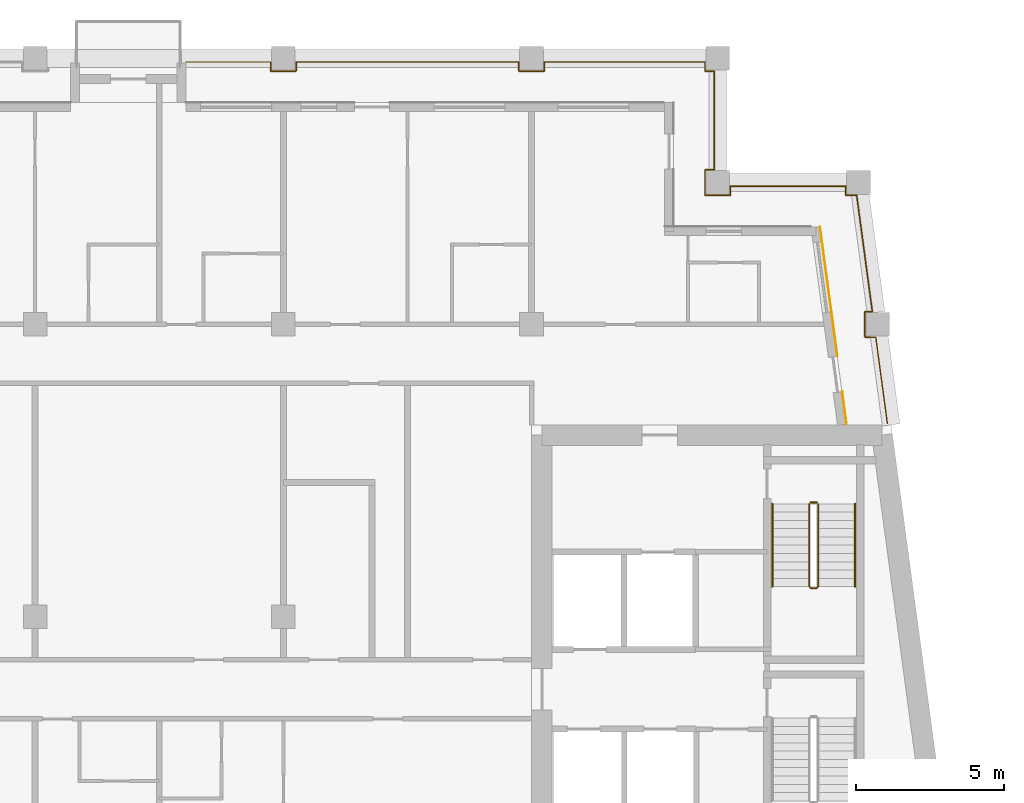
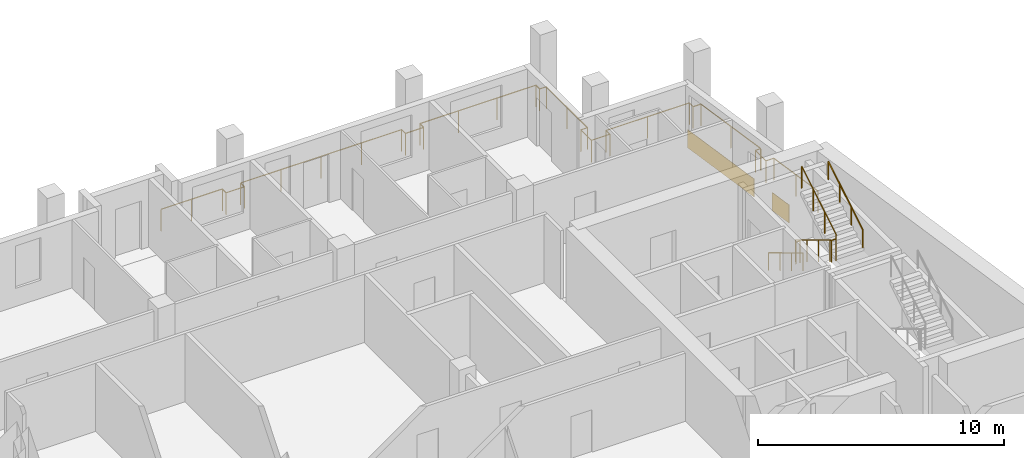
# One storey, part 12 of 14: 5 railings, 2 coverings.
"""IFC4 building model written with IfcOpenShell, lengths in metres."""

from ifc_helpers import new_model, si_unit, direction, frame, origin, origin_2d, place, context, subcontext, project, spatial, rectangle, circle, extrude, material, layer, layer_set, type_object, element, save


model = new_model("IFC4")

# Units and contexts
model_context = context("Model", 3, precision=1e-05, world=origin(), true_north=direction((0.0, 1.0)))
body_context = subcontext(model_context, "Body", "Model", "MODEL_VIEW")
ifc_project = project(units=[si_unit("LENGTHUNIT", "METRE"), si_unit("AREAUNIT", "SQUARE_METRE"), si_unit("VOLUMEUNIT", "CUBIC_METRE"), si_unit("PLANEANGLEUNIT", "RADIAN"), si_unit("MASSUNIT", "GRAM", prefix="KILO")], contexts=[model_context])

# Site, building, storey
site_placement = place(None, origin())
site = spatial("IfcSite", under=ifc_project, at=site_placement, CompositionType="ELEMENT")
building_placement = place(site_placement, origin())
building = spatial("IfcBuilding", under=site, at=building_placement, Name="Candeia Pilgrim Tower and Theatre", CompositionType="ELEMENT")
storey_placement = place(building_placement, frame((0.0, 0.0, 266.39990234375)))
storey = spatial("IfcBuildingStorey", under=building, at=storey_placement, Name="L64", CompositionType="ELEMENT", Elevation=266.39990234375)

# Railing
ifc_material_1 = material(Name="Stainless steel balustrade", Category="steel")
railing_type_1 = type_object("IfcRailingType", Name="G1 loggia guard 1100", PredefinedType="GUARDRAIL", material=ifc_material_1)
railing_1_placement = place(storey_placement, frame((114.300048828125, 144.679931640625, 0.0)))
element("IfcRailing", 1, at=railing_1_placement, inside=storey, type_object=railing_type_1, Name="Guard L64.2", PredefinedType="GUARDRAIL", context=body_context, shape_type="SweptSolid", body=[
    extrude(circle(Radius=0.02392578125, at=origin_2d()), frame((0.0, 0.0, 1.076171875), z_axis=(1.0, 0.0, 0.0), x_axis=(0.0, 1.0, 0.0)), (0.0, 0.0, 1.0), 2.869873046875),
    extrude(circle(Radius=0.02392578125, at=origin_2d()), frame((2.869873046875, 0.0, 1.076171875), z_axis=(0.0, -1.0, 0.0), x_axis=(1.0, 0.0, 0.0)), (0.0, 0.0, 1.0), 0.309814453125),
    extrude(circle(Radius=0.02392578125, at=origin_2d()), frame((2.869873046875, -0.309814453125, 1.076171875), z_axis=(1.0, 0.0, 0.0), x_axis=(0.0, 1.0, 0.0)), (0.0, 0.0, 1.0), 0.860107421875),
    extrude(circle(Radius=0.02392578125, at=origin_2d()), frame((3.72998046875, -0.309814453125, 1.076171875), z_axis=(0.0, 1.0, 0.0), x_axis=(-1.0, 0.0, 0.0)), (0.0, 0.0, 1.0), 0.309814453125),
    extrude(circle(Radius=0.02392578125, at=origin_2d()), frame((3.72998046875, 0.0, 1.076171875), z_axis=(1.0, 0.0, 0.0), x_axis=(0.0, 1.0, 0.0)), (0.0, 0.0, 1.0), 7.5400390625),
    extrude(circle(Radius=0.02392578125, at=origin_2d()), frame((11.27001953125, 0.0, 1.076171875), z_axis=(0.0, -1.0, 0.0), x_axis=(1.0, 0.0, 0.0)), (0.0, 0.0, 1.0), 0.309814453125),
    extrude(circle(Radius=0.02392578125, at=origin_2d()), frame((11.27001953125, -0.309814453125, 1.076171875), z_axis=(1.0, 0.0, 0.0), x_axis=(0.0, 1.0, 0.0)), (0.0, 0.0, 1.0), 0.85986328125),
    extrude(circle(Radius=0.02392578125, at=origin_2d()), frame((12.1298828125, -0.309814453125, 1.076171875), z_axis=(0.0, 1.0, 0.0), x_axis=(-1.0, 0.0, 0.0)), (0.0, 0.0, 1.0), 0.309814453125),
    extrude(circle(Radius=0.02392578125, at=origin_2d()), frame((12.1298828125, 0.0, 1.076171875), z_axis=(1.0, 0.0, 0.0), x_axis=(0.0, 1.0, 0.0)), (0.0, 0.0, 1.0), 5.440185546875),
    extrude(circle(Radius=0.02392578125, at=origin_2d()), frame((17.570068359375, 0.0, 1.076171875), z_axis=(0.0, -1.0, 0.0), x_axis=(1.0, 0.0, 0.0)), (0.0, 0.0, 1.0), 0.309814453125),
    extrude(circle(Radius=0.02392578125, at=origin_2d()), frame((17.570068359375, -0.309814453125, 1.076171875), z_axis=(1.0, 0.0, 0.0), x_axis=(0.0, 1.0, 0.0)), (0.0, 0.0, 1.0), 0.309814453125),
    extrude(circle(Radius=0.02392578125, at=origin_2d()), frame((17.8798828125, -0.309814453125, 1.076171875), z_axis=(0.0, -1.0, 0.0), x_axis=(1.0, 0.0, 0.0)), (0.0, 0.0, 1.0), 3.340087890625),
    extrude(circle(Radius=0.02392578125, at=origin_2d()), frame((17.8798828125, -3.64990234375, 1.076171875), z_axis=(-1.0, 0.0, 0.0), x_axis=(0.0, -1.0, 0.0)), (0.0, 0.0, 1.0), 0.309814453125),
    extrude(circle(Radius=0.02392578125, at=origin_2d()), frame((17.570068359375, -3.64990234375, 1.076171875), z_axis=(0.0, -1.0, 0.0), x_axis=(1.0, 0.0, 0.0)), (0.0, 0.0, 1.0), 0.860107421875),
    extrude(circle(Radius=0.02392578125, at=origin_2d()), frame((17.570068359375, -4.510009765625, 1.076171875), z_axis=(1.0, 0.0, 0.0), x_axis=(0.0, 1.0, 0.0)), (0.0, 0.0, 1.0), 0.85986328125),
    extrude(circle(Radius=0.02392578125, at=origin_2d()), frame((18.429931640625, -4.510009765625, 1.076171875), z_axis=(0.0, 1.0, 0.0), x_axis=(-1.0, 0.0, 0.0)), (0.0, 0.0, 1.0), 0.31005859375),
    extrude(circle(Radius=0.02392578125, at=origin_2d()), frame((18.429931640625, -4.199951171875, 1.076171875), z_axis=(1.0, 0.0, 0.0), x_axis=(0.0, 1.0, 0.0)), (0.0, 0.0, 1.0), 3.905517578125),
    extrude(circle(Radius=0.02392578125, at=origin_2d()), frame((22.33544921875, -4.199951171875, 1.076171875), z_axis=(0.0, -1.0, 0.0), x_axis=(1.0, 0.0, 0.0)), (0.0, 0.0, 1.0), 0.31005859375),
    extrude(circle(Radius=0.02392578125, at=origin_2d()), frame((22.33544921875, -4.510009765625, 1.076171875), z_axis=(1.0, 0.0, 0.0), x_axis=(0.0, 1.0, 0.0)), (0.0, 0.0, 1.0), 0.36669921875),
    extrude(circle(Radius=0.02392578125, at=origin_2d()), frame((22.7021484375, -4.510009765625, 1.076171875), z_axis=(0.133386492616, -0.991064096609, 0.0), x_axis=(0.991064096609, 0.133386492616, 0.0)), (0.0, 0.0, 1.0), 3.9755859375),
    extrude(circle(Radius=0.02392578125, at=origin_2d()), frame((23.232421875, -8.449951171875, 1.076171875), z_axis=(-1.0, 0.0, 0.0), x_axis=(0.0, -1.0, 0.0)), (0.0, 0.0, 1.0), 0.2509765625),
    extrude(circle(Radius=0.02392578125, at=origin_2d()), frame((22.9814453125, -8.449951171875, 1.076171875), z_axis=(0.0, -1.0, 0.0), x_axis=(1.0, 0.0, 0.0)), (0.0, 0.0, 1.0), 0.85986328125),
    extrude(circle(Radius=0.02392578125, at=origin_2d()), frame((22.9814453125, -9.309814453125, 1.076171875), z_axis=(1.0, 0.0, 0.0), x_axis=(0.0, 1.0, 0.0)), (0.0, 0.0, 1.0), 0.366943359375),
    extrude(circle(Radius=0.02392578125, at=origin_2d()), frame((23.348388671875, -9.309814453125, 1.076171875), z_axis=(0.133401056725, -0.991062136329, 0.0), x_axis=(0.991062136329, 0.133401056725, 0.0)), (0.0, 0.0, 1.0), 2.946533203125),
    extrude(circle(Radius=0.02099609375, at=origin_2d()), origin(), (0.0, 0.0, 1.0), 1.052001953125),
    extrude(circle(Radius=0.02099609375, at=origin_2d()), frame((1.43505859375, 0.0, 0.0)), (0.0, 0.0, 1.0), 1.052001953125),
    extrude(circle(Radius=0.02099609375, at=origin_2d()), frame((2.869873046875, 0.0, 0.0)), (0.0, 0.0, 1.0), 1.052001953125),
    extrude(circle(Radius=0.02099609375, at=origin_2d()), frame((2.869873046875, -0.309814453125, 0.0)), (0.0, 0.0, 1.0), 1.052001953125),
    extrude(circle(Radius=0.02099609375, at=origin_2d()), frame((3.72998046875, -0.309814453125, 0.0)), (0.0, 0.0, 1.0), 1.052001953125),
    extrude(circle(Radius=0.02099609375, at=origin_2d()), frame((3.72998046875, 0.0, 0.0)), (0.0, 0.0, 1.0), 1.052001953125),
    extrude(circle(Radius=0.02099609375, at=origin_2d()), frame((5.614990234375, 0.0, 0.0)), (0.0, 0.0, 1.0), 1.052001953125),
    extrude(circle(Radius=0.02099609375, at=origin_2d()), frame((7.5, 0.0, 0.0)), (0.0, 0.0, 1.0), 1.052001953125),
    extrude(circle(Radius=0.02099609375, at=origin_2d()), frame((9.385009765625, 0.0, 0.0)), (0.0, 0.0, 1.0), 1.052001953125),
    extrude(circle(Radius=0.02099609375, at=origin_2d()), frame((11.27001953125, 0.0, 0.0)), (0.0, 0.0, 1.0), 1.052001953125),
    extrude(circle(Radius=0.02099609375, at=origin_2d()), frame((11.27001953125, -0.309814453125, 0.0)), (0.0, 0.0, 1.0), 1.052001953125),
    extrude(circle(Radius=0.02099609375, at=origin_2d()), frame((12.1298828125, -0.309814453125, 0.0)), (0.0, 0.0, 1.0), 1.052001953125),
    extrude(circle(Radius=0.02099609375, at=origin_2d()), frame((12.1298828125, 0.0, 0.0)), (0.0, 0.0, 1.0), 1.052001953125),
    extrude(circle(Radius=0.02099609375, at=origin_2d()), frame((13.943359375, 0.0, 0.0)), (0.0, 0.0, 1.0), 1.052001953125),
    extrude(circle(Radius=0.02099609375, at=origin_2d()), frame((15.756591796875, 0.0, 0.0)), (0.0, 0.0, 1.0), 1.052001953125),
    extrude(circle(Radius=0.02099609375, at=origin_2d()), frame((17.570068359375, 0.0, 0.0)), (0.0, 0.0, 1.0), 1.052001953125),
    extrude(circle(Radius=0.02099609375, at=origin_2d()), frame((17.570068359375, -0.309814453125, 0.0)), (0.0, 0.0, 1.0), 1.052001953125),
    extrude(circle(Radius=0.02099609375, at=origin_2d()), frame((17.8798828125, -0.309814453125, 0.0)), (0.0, 0.0, 1.0), 1.052001953125),
    extrude(circle(Radius=0.02099609375, at=origin_2d()), frame((17.8798828125, -1.97998046875, 0.0)), (0.0, 0.0, 1.0), 1.052001953125),
    extrude(circle(Radius=0.02099609375, at=origin_2d()), frame((17.8798828125, -3.64990234375, 0.0)), (0.0, 0.0, 1.0), 1.052001953125),
    extrude(circle(Radius=0.02099609375, at=origin_2d()), frame((17.570068359375, -3.64990234375, 0.0)), (0.0, 0.0, 1.0), 1.052001953125),
    extrude(circle(Radius=0.02099609375, at=origin_2d()), frame((17.570068359375, -4.510009765625, 0.0)), (0.0, 0.0, 1.0), 1.052001953125),
    extrude(circle(Radius=0.02099609375, at=origin_2d()), frame((18.429931640625, -4.510009765625, 0.0)), (0.0, 0.0, 1.0), 1.052001953125),
    extrude(circle(Radius=0.02099609375, at=origin_2d()), frame((18.429931640625, -4.199951171875, 0.0)), (0.0, 0.0, 1.0), 1.052001953125),
    extrude(circle(Radius=0.02099609375, at=origin_2d()), frame((20.3828125, -4.199951171875, 0.0)), (0.0, 0.0, 1.0), 1.052001953125),
    extrude(circle(Radius=0.02099609375, at=origin_2d()), frame((22.33544921875, -4.199951171875, 0.0)), (0.0, 0.0, 1.0), 1.052001953125),
    extrude(circle(Radius=0.02099609375, at=origin_2d()), frame((22.33544921875, -4.510009765625, 0.0)), (0.0, 0.0, 1.0), 1.052001953125),
    extrude(circle(Radius=0.02099609375, at=origin_2d()), frame((22.7021484375, -4.510009765625, 0.0)), (0.0, 0.0, 1.0), 1.052001953125),
    extrude(circle(Radius=0.02099609375, at=origin_2d()), frame((22.96728515625, -6.47998046875, 0.0)), (0.0, 0.0, 1.0), 1.052001953125),
    extrude(circle(Radius=0.02099609375, at=origin_2d()), frame((23.232421875, -8.449951171875, 0.0)), (0.0, 0.0, 1.0), 1.052001953125),
    extrude(circle(Radius=0.02099609375, at=origin_2d()), frame((22.9814453125, -8.449951171875, 0.0)), (0.0, 0.0, 1.0), 1.052001953125),
    extrude(circle(Radius=0.02099609375, at=origin_2d()), frame((22.9814453125, -9.309814453125, 0.0)), (0.0, 0.0, 1.0), 1.052001953125),
    extrude(circle(Radius=0.02099609375, at=origin_2d()), frame((23.348388671875, -9.309814453125, 0.0)), (0.0, 0.0, 1.0), 1.052001953125),
    extrude(circle(Radius=0.02099609375, at=origin_2d()), frame((23.544921875, -10.77001953125, 0.0)), (0.0, 0.0, 1.0), 1.052001953125),
    extrude(circle(Radius=0.02099609375, at=origin_2d()), frame((23.741455078125, -12.22998046875, 0.0)), (0.0, 0.0, 1.0), 1.052001953125),
])

# Coverings
ifc_material_2 = material(Name="Glazed ceramic tile bottle green")
ifc_layer = layer(ifc_material_2, 0.02001953125)
ifc_layer_set = layer_set([ifc_layer], Name="Glazed ceramic tile bottle green")
covering_type = type_object("IfcCoveringType", Name="Glazed ceramic tile bottle green", PredefinedType="CLADDING", material=ifc_layer_set)
covering_1_placement = place(storey_placement, frame((136.588623046875, 132.97412109375, 0.000244140625), z_axis=(0.0, 0.0, 1.0), x_axis=(-0.133412012145, 0.991060661622, 0.0)))
element("IfcCovering", 2, at=covering_1_placement, inside=storey, type_object=covering_type, Name="Tile cladding bottle green L64", PredefinedType="CLADDING", context=body_context, shape_type="SweptSolid", body=[
    extrude(rectangle(XDim=1.115234375, YDim=0.02001953125, at=origin_2d()), origin(), (0.0, 0.0, 1.0), 0.89990234375),
])
covering_2_placement = place(storey_placement, frame((136.058837890625, 136.90869140625, 0.000244140625), z_axis=(0.0, 0.0, 1.0), x_axis=(-0.133412012145, 0.991060661622, 0.0)))
element("IfcCovering", 3, at=covering_2_placement, inside=storey, type_object=covering_type, Name="Tile cladding bottle green L64", PredefinedType="CLADDING", context=body_context, shape_type="SweptSolid", body=[
    extrude(rectangle(XDim=4.4248046875, YDim=0.02001953125, at=origin_2d()), origin(), (0.0, 0.0, 1.0), 0.89990234375),
])

# Railings
railing_type_2 = type_object("IfcRailingType", Name="RL-GUARD-1100", PredefinedType="GUARDRAIL", material=ifc_material_1)
railing_2_placement = place(storey_placement, frame((135.39794921875, 129.72509765625, 0.168212890625)))
element("IfcRailing", 4, at=railing_2_placement, inside=storey, type_object=railing_type_2, Name="L64 ST4 stair guard 1", PredefinedType="GUARDRAIL", context=body_context, shape_type="SweptSolid", body=[
    extrude(circle(Radius=0.02392578125, at=origin_2d()), frame((0.0, 0.0, 1.076171875), z_axis=(0.0, -0.857242210791, 0.514913383045), x_axis=(1.0, 0.0, 0.0)), (0.0, 0.0, 1.0), 3.266357421875),
    extrude(circle(Radius=0.02392578125, at=origin_2d()), frame((0.0, -2.800048828125, 2.7578125), z_axis=(0.707106781187, -0.707106781187, 0.0), x_axis=(0.707106781187, 0.707106781187, 0.0)), (0.0, 0.0, 1.0), 0.07080078125),
    extrude(circle(Radius=0.02392578125, at=origin_2d()), frame((0.050048828125, -2.85009765625, 2.7578125), z_axis=(1.0, 0.0, 0.0), x_axis=(0.0, 1.0, 0.0)), (0.0, 0.0, 1.0), 0.199951171875),
    extrude(circle(Radius=0.02392578125, at=origin_2d()), frame((0.25, -2.85009765625, 2.7578125), z_axis=(0.274243871929, 0.274243871929, 0.92172696468), x_axis=(-0.707106781187, 0.707106781187, 0.0)), (0.0, 0.0, 1.0), 0.1826171875),
    extrude(circle(Radius=0.02392578125, at=origin_2d()), frame((0.300048828125, -2.800048828125, 2.92626953125), z_axis=(0.0, 0.857242210791, 0.514913383045), x_axis=(-1.0, 0.0, 0.0)), (0.0, 0.0, 1.0), 3.266357421875),
    extrude(circle(Radius=0.02099609375, at=origin_2d()), origin(), (0.0, 0.0, 1.0), 1.052001953125),
    extrude(circle(Radius=0.02099609375, at=origin_2d()), frame((0.0, -0.933349609375, 0.560546875)), (0.0, 0.0, 1.0), 1.052001953125),
    extrude(circle(Radius=0.02099609375, at=origin_2d()), frame((0.0, -1.86669921875, 1.121337890625)), (0.0, 0.0, 1.0), 1.052001953125),
    extrude(circle(Radius=0.02099609375, at=origin_2d()), frame((0.0, -2.800048828125, 1.681884765625)), (0.0, 0.0, 1.0), 1.052001953125),
    extrude(circle(Radius=0.02099609375, at=origin_2d()), frame((0.050048828125, -2.85009765625, 1.681884765625)), (0.0, 0.0, 1.0), 1.052001953125),
    extrude(circle(Radius=0.02099609375, at=origin_2d()), frame((0.25, -2.85009765625, 1.681884765625)), (0.0, 0.0, 1.0), 1.052001953125),
    extrude(circle(Radius=0.02099609375, at=origin_2d()), frame((0.300048828125, -2.800048828125, 1.85009765625)), (0.0, 0.0, 1.0), 1.052001953125),
    extrude(circle(Radius=0.02099609375, at=origin_2d()), frame((0.300048828125, -1.86669921875, 2.41064453125)), (0.0, 0.0, 1.0), 1.052001953125),
    extrude(circle(Radius=0.02099609375, at=origin_2d()), frame((0.300048828125, -0.933349609375, 2.971435546875)), (0.0, 0.0, 1.0), 1.052001953125),
    extrude(circle(Radius=0.02099609375, at=origin_2d()), frame((0.300048828125, 0.0, 3.531982421875)), (0.0, 0.0, 1.0), 1.052001953125),
])
railing_3_placement = place(storey_placement, frame((135.447998046875, 129.77490234375, 0.0)))
element("IfcRailing", 5, at=railing_3_placement, inside=storey, type_object=railing_type_2, Name="L64 ST4 stair guard 2", PredefinedType="GUARDRAIL", context=body_context, shape_type="SweptSolid", body=[
    extrude(circle(Radius=0.02392578125, at=origin_2d()), frame((0.0, 0.0, 1.076171875), z_axis=(1.0, 0.0, 0.0), x_axis=(0.0, 1.0, 0.0)), (0.0, 0.0, 1.0), 0.199951171875),
    extrude(circle(Radius=0.02099609375, at=origin_2d()), origin(), (0.0, 0.0, 1.0), 1.052001953125),
    extrude(circle(Radius=0.02099609375, at=origin_2d()), frame((0.199951171875, 0.0, 0.0)), (0.0, 0.0, 1.0), 1.052001953125),
])
ifc_material_3 = material(Name="Stainless steel handrail", Category="steel")
railing_type_3 = type_object("IfcRailingType", Name="RL-HANDRAIL-900", PredefinedType="HANDRAIL", material=ifc_material_3)
railing_4_placement = place(storey_placement, frame((134.14794921875, 129.72509765625, 0.168212890625)))
element("IfcRailing", 6, at=railing_4_placement, inside=storey, type_object=railing_type_3, Name="L64 ST4 stair handrail 1", PredefinedType="HANDRAIL", context=body_context, shape_type="SweptSolid", body=[
    extrude(circle(Radius=0.02392578125, at=origin_2d()), frame((0.0, 0.0, 0.8759765625), z_axis=(0.0, -0.857242210791, 0.514913383045), x_axis=(1.0, 0.0, 0.0)), (0.0, 0.0, 1.0), 3.266357421875),
    extrude(circle(Radius=0.02099609375, at=origin_2d()), origin(), (0.0, 0.0, 1.0), 0.851806640625),
    extrude(circle(Radius=0.02099609375, at=origin_2d()), frame((0.0, -0.933349609375, 0.560546875)), (0.0, 0.0, 1.0), 0.851806640625),
    extrude(circle(Radius=0.02099609375, at=origin_2d()), frame((0.0, -1.86669921875, 1.121337890625)), (0.0, 0.0, 1.0), 0.851806640625),
    extrude(circle(Radius=0.02099609375, at=origin_2d()), frame((0.0, -2.800048828125, 1.681884765625)), (0.0, 0.0, 1.0), 0.851806640625),
])
railing_5_placement = place(storey_placement, frame((136.947998046875, 126.925048828125, 2.018310546875)))
element("IfcRailing", 7, at=railing_5_placement, inside=storey, type_object=railing_type_3, Name="L64 ST4 stair handrail 2", PredefinedType="HANDRAIL", context=body_context, shape_type="SweptSolid", body=[
    extrude(circle(Radius=0.02392578125, at=origin_2d()), frame((0.0, 0.0, 0.8759765625), z_axis=(0.0, 0.857242210791, 0.514913383045), x_axis=(-1.0, 0.0, 0.0)), (0.0, 0.0, 1.0), 3.266357421875),
    extrude(circle(Radius=0.02099609375, at=origin_2d()), origin(), (0.0, 0.0, 1.0), 0.851806640625),
    extrude(circle(Radius=0.02099609375, at=origin_2d()), frame((0.0, 0.933349609375, 0.560546875)), (0.0, 0.0, 1.0), 0.851806640625),
    extrude(circle(Radius=0.02099609375, at=origin_2d()), frame((0.0, 1.86669921875, 1.121337890625)), (0.0, 0.0, 1.0), 0.851806640625),
    extrude(circle(Radius=0.02099609375, at=origin_2d()), frame((0.0, 2.800048828125, 1.681884765625)), (0.0, 0.0, 1.0), 0.851806640625),
])

save(model, "model.ifc")
